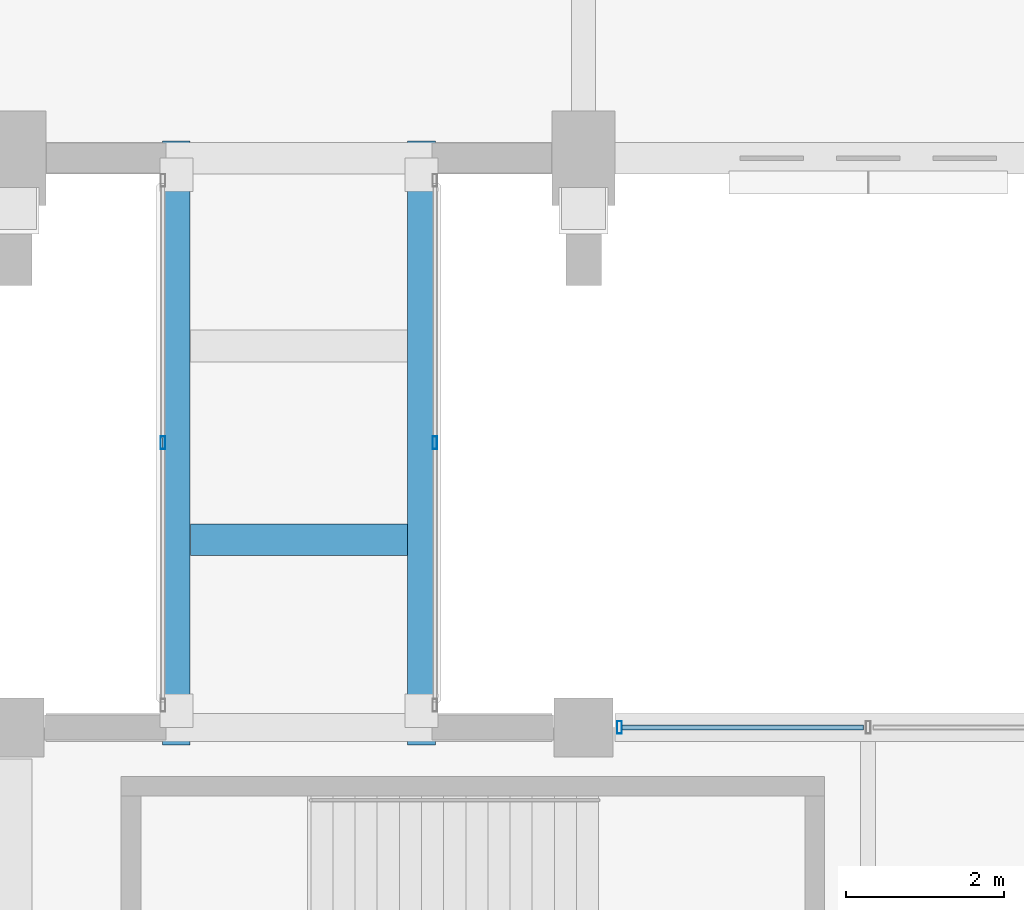
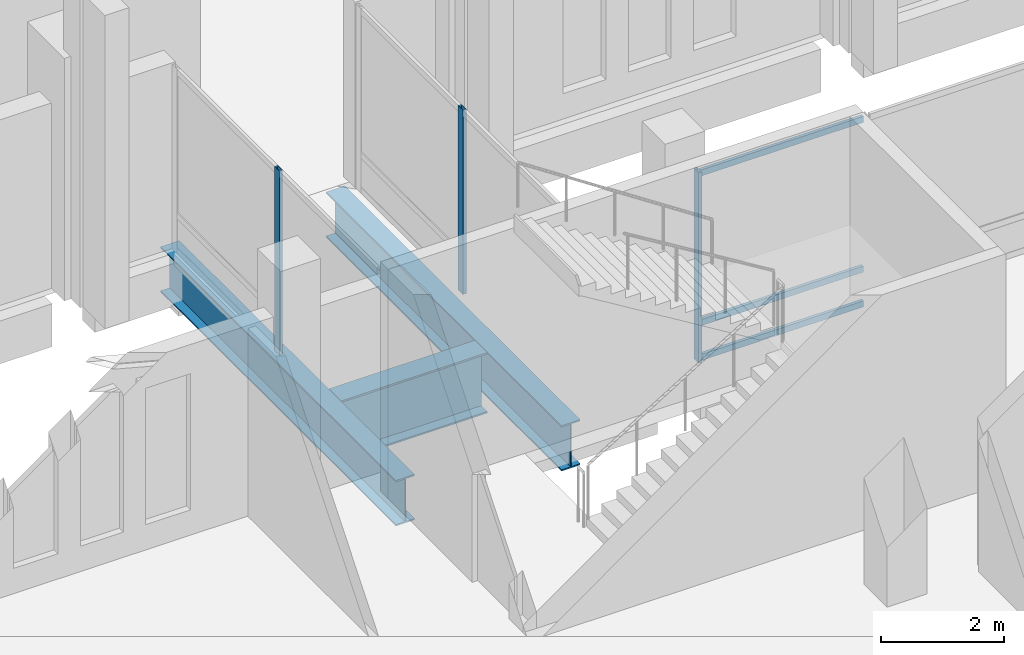
# One storey, part 66 of 193: 6 members, 3 beams, 3 elements without a shape of their own.
"""IFC4 building model written with IfcOpenShell, lengths in metres."""

from ifc_helpers import new_model, si_unit, direction, frame, origin, origin_2d, place, context, subcontext, project, spatial, hollow_rectangle, i_section, extrude, material, material_profile, profile_set, type_object, element, aggregate, save


model = new_model("IFC4")

# Units and contexts
model_context = context("Model", 3, precision=1e-05, world=origin(), true_north=direction((0.0, 1.0)))
body_context = subcontext(model_context, "Body", "Model", "MODEL_VIEW")
ifc_project = project(units=[si_unit("LENGTHUNIT", "METRE"), si_unit("AREAUNIT", "SQUARE_METRE"), si_unit("VOLUMEUNIT", "CUBIC_METRE"), si_unit("PLANEANGLEUNIT", "RADIAN"), si_unit("MASSUNIT", "GRAM", prefix="KILO")], contexts=[model_context])

# Site, building, storey
site_placement = place(None, origin())
site = spatial("IfcSite", under=ifc_project, at=site_placement, CompositionType="ELEMENT")
building_placement = place(site_placement, origin())
building = spatial("IfcBuilding", under=site, at=building_placement, Name="Cendralis Lancet Convention Centre", CompositionType="ELEMENT")
storey_placement = place(building_placement, frame((0.0, 0.0, 10.199951171875)))
storey = spatial("IfcBuildingStorey", under=building, at=storey_placement, Name="L02", CompositionType="ELEMENT", Elevation=10.199951171875)

# Curtain wall, member
ifc_material_1 = material(Name="Anodised bronze architectural aluminium", Category="aluminium")
curtain_wall_type_1 = type_object("IfcCurtainWallType", Name="ARC-CW-CL02", PredefinedType="USERDEFINED", material=ifc_material_1)
curtain_wall_1_placement = place(storey_placement, origin())
curtain_wall_1 = element("IfcCurtainWall", 1, at=curtain_wall_1_placement, inside=storey, type_object=curtain_wall_type_1, Name="L02 Curtain Wall CW-CL2 #185", ObjectType="CURTAIN WALL", PredefinedType="USERDEFINED")
ifc_material_profile_1 = material_profile(ifc_material_1, hollow_rectangle(XDim=0.06005859375, YDim=0.159912109375, WallThickness=0.00390625, at=origin_2d()), Name="AL-MULL 60x160x4.0")
ifc_profile_set_1 = profile_set([ifc_material_profile_1], Name="Anodised bronze architectural aluminium")
member_type_1 = type_object("IfcMemberType", Name="ARC-CW-ML01", PredefinedType="MULLION", material=ifc_profile_set_1)
member_1_placement = place(storey_placement, frame((154.054931640625, 36.0, 0.0), z_axis=(0.0, 0.0, 1.0), x_axis=(1.0, 0.0, 0.0)))
member_1 = element("IfcMember", 2, at=member_1_placement, type_object=member_type_1, Name="Mullion CW2-CW-CL2-L02-185-M0", PredefinedType="MULLION", context=body_context, shape_type="SweptSolid", body=[
    extrude(hollow_rectangle(XDim=0.06005859375, YDim=0.159912109375, WallThickness=0.00390625, at=origin_2d()), origin(), (0.0, 0.0, 1.0), 3.775146484375),
])

curtain_wall_type_2 = type_object("IfcCurtainWallType", Name="ARC-CW-BR01", PredefinedType="USERDEFINED", material=ifc_material_1)
curtain_wall_2_placement = place(storey_placement, origin())
curtain_wall_2 = element("IfcCurtainWall", 3, at=curtain_wall_2_placement, inside=storey, type_object=curtain_wall_type_2, Name="L02 Curtain Wall CW-BR1 #215", ObjectType="CURTAIN WALL", PredefinedType="USERDEFINED")
member_2_placement = place(storey_placement, frame((148.280029296875, 39.60009765625, 0.0), z_axis=(0.0, 0.0, 1.0), x_axis=(1.0, 0.0, 0.0)))
member_2 = element("IfcMember", 4, at=member_2_placement, type_object=member_type_1, Name="Mullion CW2-CW-BR1-L02-215-M1", PredefinedType="MULLION", context=body_context, shape_type="SweptSolid", body=[
    extrude(hollow_rectangle(XDim=0.06005859375, YDim=0.159912109375, WallThickness=0.00390625, at=origin_2d()), origin(), (0.0, 0.0, 1.0), 3.650146484375),
])
aggregate(curtain_wall_2, [member_2])

curtain_wall_3_placement = place(storey_placement, origin())
curtain_wall_3 = element("IfcCurtainWall", 5, at=curtain_wall_3_placement, inside=storey, type_object=curtain_wall_type_2, Name="L02 Curtain Wall CW-BR1 #216", ObjectType="CURTAIN WALL", PredefinedType="USERDEFINED")
member_3_placement = place(storey_placement, frame((151.719970703125, 39.60009765625, 0.0), z_axis=(0.0, 0.0, 1.0), x_axis=(1.0, 0.0, 0.0)))
member_3 = element("IfcMember", 6, at=member_3_placement, type_object=member_type_1, Name="Mullion CW2-CW-BR1-L02-216-M1", PredefinedType="MULLION", context=body_context, shape_type="SweptSolid", body=[
    extrude(hollow_rectangle(XDim=0.06005859375, YDim=0.159912109375, WallThickness=0.00390625, at=origin_2d()), origin(), (0.0, 0.0, 1.0), 3.650146484375),
])
aggregate(curtain_wall_3, [member_3])

# Member
ifc_material_profile_2 = material_profile(ifc_material_1, hollow_rectangle(XDim=0.06005859375, YDim=0.1201171875, WallThickness=0.00390625, at=origin_2d()), Name="AL-TRAN 60x120x4.0")
ifc_profile_set_2 = profile_set([ifc_material_profile_2], Name="Anodised bronze architectural aluminium")
member_type_2 = type_object("IfcMemberType", Name="ARC-CW-TR01", PredefinedType="USERDEFINED", material=ifc_profile_set_2)
member_4_placement = place(storey_placement, frame((154.0849609375, 36.0, 0.06005859375), z_axis=(1.0, 0.0, 0.0), x_axis=(0.0, 1.0, 0.0)))
member_4 = element("IfcMember", 7, at=member_4_placement, type_object=member_type_2, Name="Transom CW2-CW-CL2-L02-185-T0BOT", ObjectType="TRANSOM", PredefinedType="USERDEFINED", context=body_context, shape_type="SweptSolid", body=[
    extrude(hollow_rectangle(XDim=0.06005859375, YDim=0.1201171875, WallThickness=0.00390625, at=origin_2d()), origin(), (0.0, 0.0, 1.0), 3.054931640625),
])

member_5_placement = place(storey_placement, frame((154.0849609375, 36.0, 0.75), z_axis=(1.0, 0.0, 0.0), x_axis=(0.0, 1.0, 0.0)))
member_5 = element("IfcMember", 8, at=member_5_placement, type_object=member_type_2, Name="Transom CW2-CW-CL2-L02-185-T0MID", ObjectType="TRANSOM", PredefinedType="USERDEFINED", context=body_context, shape_type="SweptSolid", body=[
    extrude(hollow_rectangle(XDim=0.06005859375, YDim=0.1201171875, WallThickness=0.00390625, at=origin_2d()), origin(), (0.0, 0.0, 1.0), 3.054931640625),
])

member_6_placement = place(storey_placement, frame((154.0849609375, 36.0, 3.715087890625), z_axis=(1.0, 0.0, 0.0), x_axis=(0.0, 1.0, 0.0)))
member_6 = element("IfcMember", 9, at=member_6_placement, type_object=member_type_2, Name="Transom CW2-CW-CL2-L02-185-T0TOP", ObjectType="TRANSOM", PredefinedType="USERDEFINED", context=body_context, shape_type="SweptSolid", body=[
    extrude(hollow_rectangle(XDim=0.06005859375, YDim=0.1201171875, WallThickness=0.00390625, at=origin_2d()), origin(), (0.0, 0.0, 1.0), 3.054931640625),
])

aggregate(curtain_wall_1, [member_1, member_4, member_5, member_6])

# Beams
ifc_material_2 = material(Name="Steel S355", Category="steel")
ifc_material_profile_3 = material_profile(ifc_material_2, i_section(OverallWidth=0.39990234375, OverallDepth=1.199951171875, WebThickness=0.01806640625, FlangeThickness=0.031982421875, at=origin_2d()), Name="PG 1200x400")
ifc_profile_set_3 = profile_set([ifc_material_profile_3], Name="Steel S355")
beam_type_1 = type_object("IfcBeamType", Name="STR-BM-SG03", PredefinedType="BEAM", material=ifc_profile_set_3)
beam_placement = place(storey_placement, frame((148.6298828125, 38.3759765625, -0.820068359375), z_axis=(1.0, 0.0, 0.0), x_axis=(0.0, 1.0, 0.0)))
element("IfcBeam", 10, at=beam_placement, inside=storey, type_object=beam_type_1, Name="L02 Beam SG03 #1938", PredefinedType="BEAM", context=body_context, shape_type="SweptSolid", body=[
    extrude(i_section(OverallWidth=0.39990234375, OverallDepth=1.199951171875, WebThickness=0.01806640625, FlangeThickness=0.031982421875, at=origin_2d()), origin(), (0.0, 0.0, 1.0), 2.740234375),
])
ifc_material_profile_4 = material_profile(ifc_material_2, i_section(OverallWidth=0.35009765625, OverallDepth=0.89990234375, WebThickness=0.01611328125, FlangeThickness=0.028076171875, at=origin_2d()), Name="PG 900x350")
ifc_profile_set_4 = profile_set([ifc_material_profile_4], Name="Steel S355")
beam_type_2 = type_object("IfcBeamType", Name="STR-BM-SG05", PredefinedType="BEAM", material=ifc_profile_set_4)
for number, where, z_axis, x_axis, name in (
    (11, (148.449951171875, 35.780029296875, -0.669921875), (0.0, 1.0, 0.0), (-1.0, 0.0, 0.0), "L02 Beam SG05 #1936"),
    (12, (151.550048828125, 35.780029296875, -0.669921875), (0.0, 1.0, 0.0), (-1.0, 0.0, 0.0), "L02 Beam SG05 #1937"),
):
    element("IfcBeam", number, at=place(storey_placement, frame(where, z_axis=z_axis, x_axis=x_axis)), inside=storey, type_object=beam_type_2, Name=name, PredefinedType="BEAM", context=body_context, shape_type="SweptSolid", body=[
        extrude(i_section(OverallWidth=0.35009765625, OverallDepth=0.89990234375, WebThickness=0.01611328125, FlangeThickness=0.028076171875, at=origin_2d()), origin(), (0.0, 0.0, 1.0), 7.639892578125),
    ])

save(model, "model.ifc")
